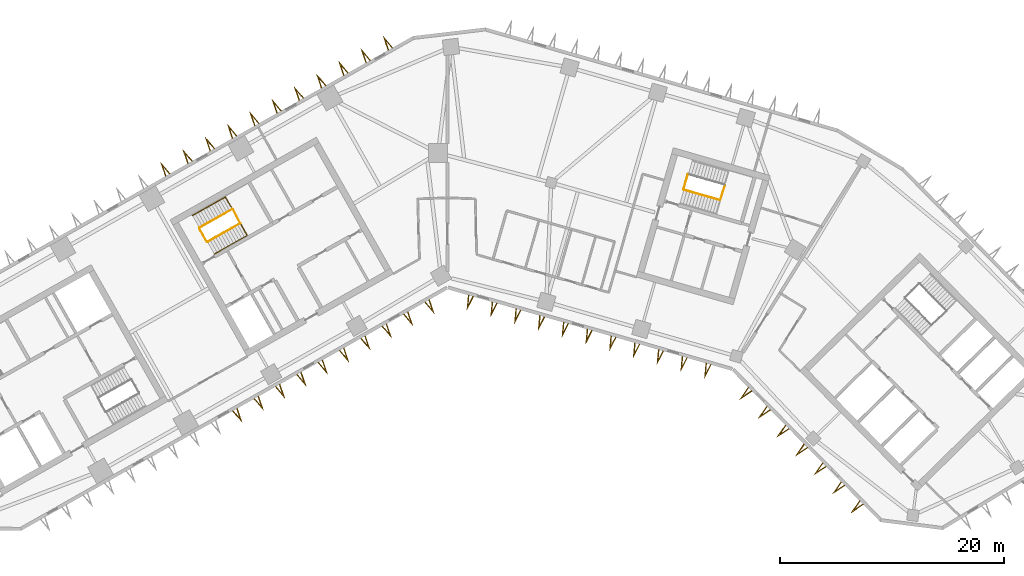
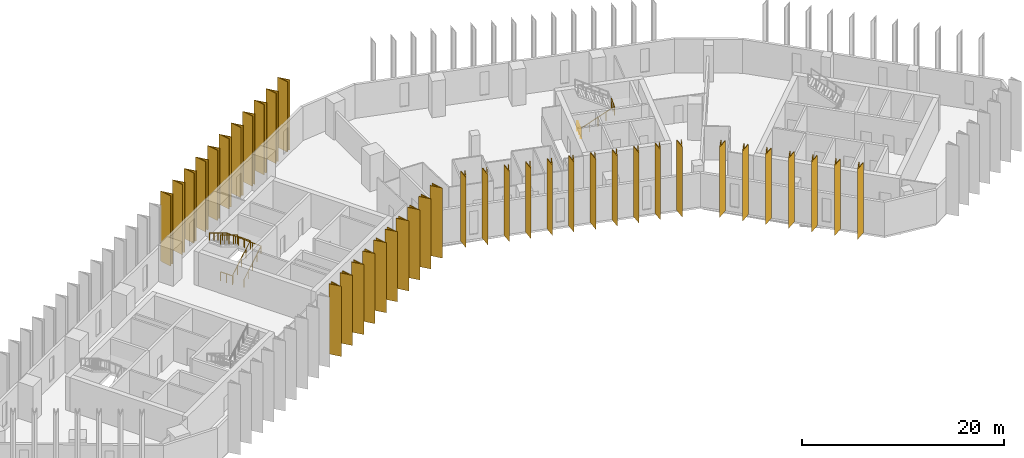
# One storey, part 10 of 11: 39 shading devices, 6 railings.
"""IFC4 building model written with IfcOpenShell, lengths in metres."""

from ifc_helpers import new_model, si_unit, direction, frame, origin, origin_2d, place, context, subcontext, project, spatial, polyline, circle, outline, extrude, material, type_object, element, save


model = new_model("IFC4")

# Units and contexts
model_context = context("Model", 3, precision=1e-05, world=origin(), true_north=direction((0.0, 1.0)))
body_context = subcontext(model_context, "Body", "Model", "MODEL_VIEW")
ifc_project = project(units=[si_unit("LENGTHUNIT", "METRE"), si_unit("AREAUNIT", "SQUARE_METRE"), si_unit("VOLUMEUNIT", "CUBIC_METRE"), si_unit("PLANEANGLEUNIT", "RADIAN"), si_unit("MASSUNIT", "GRAM", prefix="KILO")], contexts=[model_context])

# Site, building, storey
site_placement = place(None, origin())
site = spatial("IfcSite", under=ifc_project, at=site_placement, CompositionType="ELEMENT")
building_placement = place(site_placement, origin())
building = spatial("IfcBuilding", under=site, at=building_placement, Name="Binnacle Exchange Tower", CompositionType="ELEMENT")
storey_placement = place(building_placement, frame((0.0, 0.0, 132.300048828125)))
storey = spatial("IfcBuildingStorey", under=building, at=storey_placement, Name="L27", CompositionType="ELEMENT", Elevation=132.300048828125)

# Railings
ifc_material_1 = material(Name="Steel guard rail", Category="steel")
railing_type_1 = type_object("IfcRailingType", Name="STAIR GUARD 1100", PredefinedType="GUARDRAIL", material=ifc_material_1)
railing_1_placement = place(storey_placement, frame((-21.423828125, 52.07275390625, 0.169189453125)))
element("IfcRailing", 1, at=railing_1_placement, inside=storey, type_object=railing_type_1, Name="L27 STC1 stair guard 1", PredefinedType="GUARDRAIL", context=body_context, shape_type="SweptSolid", body=[
    extrude(circle(Radius=0.02392578125, at=origin_2d()), frame((0.0, 0.0, 1.076171875), z_axis=(0.744895141965, 0.421417011194, 0.517241655469), x_axis=(-0.49240197835, 0.870367905955, 0.0)), (0.0, 0.0, 1.0), 3.926025390625),
    extrude(circle(Radius=0.02392578125, at=origin_2d()), frame((2.924560546875, 1.654541015625, 3.10693359375), z_axis=(-0.461171632143, 0.887310952094, 0.0), x_axis=(-0.887310952094, -0.461171632143, 0.0)), (0.0, 0.0, 1.0), 1.40087890625),
    extrude(circle(Radius=0.02099609375, at=origin_2d()), origin(), (0.0, 0.0, 1.0), 1.052001953125),
    extrude(circle(Radius=0.02099609375, at=origin_2d()), frame((0.731201171875, 0.41357421875, 0.5078125)), (0.0, 0.0, 1.0), 1.052001953125),
    extrude(circle(Radius=0.02099609375, at=origin_2d()), frame((1.46240234375, 0.8271484375, 1.015380859375)), (0.0, 0.0, 1.0), 1.052001953125),
    extrude(circle(Radius=0.02099609375, at=origin_2d()), frame((2.193359375, 1.240966796875, 1.52294921875)), (0.0, 0.0, 1.0), 1.052001953125),
    extrude(circle(Radius=0.02099609375, at=origin_2d()), frame((2.924560546875, 1.654541015625, 2.03076171875)), (0.0, 0.0, 1.0), 1.052001953125),
    extrude(circle(Radius=0.02099609375, at=origin_2d()), frame((2.6015625, 2.27587890625, 2.03076171875)), (0.0, 0.0, 1.0), 1.052001953125),
    extrude(circle(Radius=0.02099609375, at=origin_2d()), frame((2.278564453125, 2.8974609375, 2.03076171875)), (0.0, 0.0, 1.0), 1.052001953125),
])
railing_2_placement = place(storey_placement, frame((-19.21337890625, 54.9892578125, 2.369140625)))
element("IfcRailing", 2, at=railing_2_placement, inside=storey, type_object=railing_type_1, Name="L27 STC1 stair guard 2", PredefinedType="GUARDRAIL", context=body_context, shape_type="SweptSolid", body=[
    extrude(circle(Radius=0.02392578125, at=origin_2d()), frame((0.0, 0.0, 1.076171875), z_axis=(-0.744867460262, -0.421436531824, 0.517265614832), x_axis=(0.492433119026, -0.870350287693, 0.0)), (0.0, 0.0, 1.0), 3.926025390625),
    extrude(circle(Radius=0.02099609375, at=origin_2d()), origin(), (0.0, 0.0, 1.0), 1.052001953125),
    extrude(circle(Radius=0.02099609375, at=origin_2d()), frame((-0.73095703125, -0.41357421875, 0.5078125)), (0.0, 0.0, 1.0), 1.052001953125),
    extrude(circle(Radius=0.02099609375, at=origin_2d()), frame((-1.462158203125, -0.8271484375, 1.015380859375)), (0.0, 0.0, 1.0), 1.052001953125),
    extrude(circle(Radius=0.02099609375, at=origin_2d()), frame((-2.193359375, -1.240966796875, 1.52294921875)), (0.0, 0.0, 1.0), 1.052001953125),
    extrude(circle(Radius=0.02099609375, at=origin_2d()), frame((-2.92431640625, -1.654541015625, 2.03076171875)), (0.0, 0.0, 1.0), 1.052001953125),
])
railing_3_placement = place(storey_placement, frame((-21.491943359375, 52.091552734375, 0.0)))
element("IfcRailing", 3, at=railing_3_placement, inside=storey, type_object=railing_type_1, Name="L27 STC1 stair guard 3", PredefinedType="GUARDRAIL", context=body_context, shape_type="SweptSolid", body=[
    extrude(circle(Radius=0.02392578125, at=origin_2d()), frame((0.0, 0.0, 1.076171875), z_axis=(-0.49241474071, 0.870360685654, 0.0), x_axis=(-0.870360685654, -0.49241474071, 0.0)), (0.0, 0.0, 1.0), 1.35009765625),
    extrude(circle(Radius=0.02099609375, at=origin_2d()), origin(), (0.0, 0.0, 1.0), 1.052001953125),
    extrude(circle(Radius=0.02099609375, at=origin_2d()), frame((-0.33251953125, 0.58740234375, 0.0)), (0.0, 0.0, 1.0), 1.052001953125),
    extrude(circle(Radius=0.02099609375, at=origin_2d()), frame((-0.664794921875, 1.175048828125, 0.0)), (0.0, 0.0, 1.0), 1.052001953125),
])
railing_4_placement = place(storey_placement, frame((21.086669921875, 56.71044921875, 0.169189453125)))
element("IfcRailing", 4, at=railing_4_placement, inside=storey, type_object=railing_type_1, Name="L27 STD1 stair guard 1", PredefinedType="GUARDRAIL", context=body_context, shape_type="SweptSolid", body=[
    extrude(circle(Radius=0.02392578125, at=origin_2d()), frame((0.0, 0.0, 1.076171875), z_axis=(0.82266146106, -0.235934506256, 0.517264950721), x_axis=(0.27568068152, 0.961249271436, 0.0)), (0.0, 0.0, 1.0), 3.926025390625),
    extrude(circle(Radius=0.02392578125, at=origin_2d()), frame((3.229736328125, -0.92626953125, 3.10693359375), z_axis=(0.309842533299, 0.950787886208, 0.0), x_axis=(-0.950787886208, 0.309842533299, 0.0)), (0.0, 0.0, 1.0), 1.40087890625),
    extrude(circle(Radius=0.02099609375, at=origin_2d()), origin(), (0.0, 0.0, 1.0), 1.052001953125),
    extrude(circle(Radius=0.02099609375, at=origin_2d()), frame((0.807373046875, -0.2314453125, 0.5078125)), (0.0, 0.0, 1.0), 1.052001953125),
    extrude(circle(Radius=0.02099609375, at=origin_2d()), frame((1.61474609375, -0.463134765625, 1.015380859375)), (0.0, 0.0, 1.0), 1.052001953125),
    extrude(circle(Radius=0.02099609375, at=origin_2d()), frame((2.42236328125, -0.69482421875, 1.52294921875)), (0.0, 0.0, 1.0), 1.052001953125),
    extrude(circle(Radius=0.02099609375, at=origin_2d()), frame((3.229736328125, -0.92626953125, 2.03076171875)), (0.0, 0.0, 1.0), 1.052001953125),
    extrude(circle(Radius=0.02099609375, at=origin_2d()), frame((3.44677734375, -0.26025390625, 2.03076171875)), (0.0, 0.0, 1.0), 1.052001953125),
    extrude(circle(Radius=0.02099609375, at=origin_2d()), frame((3.663818359375, 0.40576171875, 2.03076171875)), (0.0, 0.0, 1.0), 1.052001953125),
])
railing_5_placement = place(storey_placement, frame((21.05224609375, 56.772216796875, 0.0)))
element("IfcRailing", 5, at=railing_5_placement, inside=storey, type_object=railing_type_1, Name="L27 STD1 stair guard 3", PredefinedType="GUARDRAIL", context=body_context, shape_type="SweptSolid", body=[
    extrude(circle(Radius=0.02392578125, at=origin_2d()), frame((0.0, 0.0, 1.076171875), z_axis=(0.275795817769, 0.961216243569, 0.0), x_axis=(-0.961216243569, 0.275795817769, 0.0)), (0.0, 0.0, 1.0), 1.349853515625),
    extrude(circle(Radius=0.02099609375, at=origin_2d()), origin(), (0.0, 0.0, 1.0), 1.052001953125),
    extrude(circle(Radius=0.02099609375, at=origin_2d()), frame((0.18603515625, 0.64892578125, 0.0)), (0.0, 0.0, 1.0), 1.052001953125),
    extrude(circle(Radius=0.02099609375, at=origin_2d()), frame((0.372314453125, 1.297607421875, 0.0)), (0.0, 0.0, 1.0), 1.052001953125),
])
ifc_material_2 = material(Name="Steel handrail", Category="steel")
railing_type_2 = type_object("IfcRailingType", Name="STAIR HANDRAIL 900", PredefinedType="HANDRAIL", material=ifc_material_2)
railing_6_placement = place(storey_placement, frame((-20.808349609375, 50.984619140625, 0.169189453125)))
element("IfcRailing", 6, at=railing_6_placement, inside=storey, type_object=railing_type_2, Name="L27 STC1 stair handrail 1", PredefinedType="HANDRAIL", context=body_context, shape_type="SweptSolid", body=[
    extrude(circle(Radius=0.02392578125, at=origin_2d()), frame((0.0, 0.0, 0.8759765625), z_axis=(0.744895141965, 0.421417011194, 0.517241655469), x_axis=(-0.49240197835, 0.870367905955, 0.0)), (0.0, 0.0, 1.0), 3.926025390625),
    extrude(circle(Radius=0.02392578125, at=origin_2d()), frame((2.924560546875, 1.654541015625, 2.90673828125), z_axis=(-0.491962556146, 0.869564041126, 0.04279277663), x_axis=(-0.870361318571, -0.492413622004, 0.0)), (0.0, 0.0, 1.0), 3.95361328125),
    extrude(circle(Radius=0.02392578125, at=origin_2d()), frame((0.9794921875, 5.092529296875, 3.07568359375), z_axis=(-0.744895141965, -0.421417011194, 0.517241655469), x_axis=(0.49240197835, -0.870367905955, 0.0)), (0.0, 0.0, 1.0), 3.926025390625),
    extrude(circle(Radius=0.02099609375, at=origin_2d()), origin(), (0.0, 0.0, 1.0), 0.851806640625),
    extrude(circle(Radius=0.02099609375, at=origin_2d()), frame((0.731201171875, 0.41357421875, 0.5078125)), (0.0, 0.0, 1.0), 0.851806640625),
    extrude(circle(Radius=0.02099609375, at=origin_2d()), frame((1.46240234375, 0.8271484375, 1.015380859375)), (0.0, 0.0, 1.0), 0.851806640625),
    extrude(circle(Radius=0.02099609375, at=origin_2d()), frame((2.193359375, 1.240966796875, 1.52294921875)), (0.0, 0.0, 1.0), 0.851806640625),
    extrude(circle(Radius=0.02099609375, at=origin_2d()), frame((2.924560546875, 1.654541015625, 2.03076171875)), (0.0, 0.0, 1.0), 0.851806640625),
    extrude(circle(Radius=0.02099609375, at=origin_2d()), frame((2.438232421875, 2.51416015625, 2.072998046875)), (0.0, 0.0, 1.0), 0.851806640625),
    extrude(circle(Radius=0.02099609375, at=origin_2d()), frame((1.9521484375, 3.37353515625, 2.115234375)), (0.0, 0.0, 1.0), 0.851806640625),
    extrude(circle(Radius=0.02099609375, at=origin_2d()), frame((1.4658203125, 4.23291015625, 2.15771484375)), (0.0, 0.0, 1.0), 0.851806640625),
    extrude(circle(Radius=0.02099609375, at=origin_2d()), frame((0.9794921875, 5.092529296875, 2.199951171875)), (0.0, 0.0, 1.0), 0.851806640625),
    extrude(circle(Radius=0.02099609375, at=origin_2d()), frame((0.248291015625, 4.678955078125, 2.70751953125)), (0.0, 0.0, 1.0), 0.851806640625),
    extrude(circle(Radius=0.02099609375, at=origin_2d()), frame((-0.48291015625, 4.26513671875, 3.21533203125)), (0.0, 0.0, 1.0), 0.851806640625),
    extrude(circle(Radius=0.02099609375, at=origin_2d()), frame((-1.2138671875, 3.8515625, 3.72314453125)), (0.0, 0.0, 1.0), 0.851806640625),
    extrude(circle(Radius=0.02099609375, at=origin_2d()), frame((-1.945068359375, 3.43798828125, 4.230712890625)), (0.0, 0.0, 1.0), 0.851806640625),
])

# Shading devices
ifc_material_3 = material(Name="Bronze aluminium cladding", Category="aluminium")
shading_device_type = type_object("IfcShadingDeviceType", Name="V FIN 1300 DEEP x 8480 HIGH", PredefinedType="USERDEFINED", material=ifc_material_3)
shading_device_1_placement = place(storey_placement, origin())
element("IfcShadingDevice", 7, at=shading_device_1_placement, inside=storey, type_object=shading_device_type, Name="V fin FN-F03-01 L27", ObjectType="FIN", PredefinedType="USERDEFINED", context=body_context, shape_type="SweptSolid", body=[
    extrude(outline(polyline([(-4.88916015625, 69.40625), (-5.746826171875, 70.41455078125), (-5.32421875, 69.159912109375), (-5.25341796875, 69.2001953125), (-5.5380859375, 70.0458984375), (-4.9599609375, 69.3662109375), (-4.88916015625, 69.40625)])), origin(), (0.0, 0.0, 1.0), 8.47998046875),
])
shading_device_2_placement = place(storey_placement, origin())
element("IfcShadingDevice", 8, at=shading_device_2_placement, inside=storey, type_object=shading_device_type, Name="V fin FN-F03-02 L27", ObjectType="FIN", PredefinedType="USERDEFINED", context=body_context, shape_type="SweptSolid", body=[
    extrude(outline(polyline([(-6.87548828125, 68.2822265625), (-7.7333984375, 69.290771484375), (-7.310791015625, 68.0361328125), (-7.239990234375, 68.076171875), (-7.524658203125, 68.922119140625), (-6.946533203125, 68.2421875), (-6.87548828125, 68.2822265625)])), origin(), (0.0, 0.0, 1.0), 8.47998046875),
])
shading_device_3_placement = place(storey_placement, origin())
element("IfcShadingDevice", 9, at=shading_device_3_placement, inside=storey, type_object=shading_device_type, Name="V fin FN-F03-03 L27", ObjectType="FIN", PredefinedType="USERDEFINED", context=body_context, shape_type="SweptSolid", body=[
    extrude(outline(polyline([(-8.862060546875, 67.158203125), (-9.719970703125, 68.166748046875), (-9.29736328125, 66.912109375), (-9.226318359375, 66.9521484375), (-9.51123046875, 67.798095703125), (-8.93310546875, 67.1181640625), (-8.862060546875, 67.158203125)])), origin(), (0.0, 0.0, 1.0), 8.47998046875),
])
shading_device_4_placement = place(storey_placement, origin())
element("IfcShadingDevice", 10, at=shading_device_4_placement, inside=storey, type_object=shading_device_type, Name="V fin FN-F03-04 L27", ObjectType="FIN", PredefinedType="USERDEFINED", context=body_context, shape_type="SweptSolid", body=[
    extrude(outline(polyline([(-10.8486328125, 66.034423828125), (-11.70654296875, 67.042724609375), (-11.283935546875, 65.7880859375), (-11.212890625, 65.828369140625), (-11.497802734375, 66.674072265625), (-10.919677734375, 65.994384765625), (-10.8486328125, 66.034423828125)])), origin(), (0.0, 0.0, 1.0), 8.47998046875),
])
shading_device_5_placement = place(storey_placement, origin())
element("IfcShadingDevice", 11, at=shading_device_5_placement, inside=storey, type_object=shading_device_type, Name="V fin FN-F03-05 L27", ObjectType="FIN", PredefinedType="USERDEFINED", context=body_context, shape_type="SweptSolid", body=[
    extrude(outline(polyline([(-12.835205078125, 64.910400390625), (-13.693115234375, 65.9189453125), (-13.2705078125, 64.664306640625), (-13.199462890625, 64.704345703125), (-13.484375, 65.55029296875), (-12.906005859375, 64.870361328125), (-12.835205078125, 64.910400390625)])), origin(), (0.0, 0.0, 1.0), 8.47998046875),
])
shading_device_6_placement = place(storey_placement, origin())
element("IfcShadingDevice", 12, at=shading_device_6_placement, inside=storey, type_object=shading_device_type, Name="V fin FN-F03-06 L27", ObjectType="FIN", PredefinedType="USERDEFINED", context=body_context, shape_type="SweptSolid", body=[
    extrude(outline(polyline([(-14.82177734375, 63.78662109375), (-15.6796875, 64.794921875), (-15.257080078125, 63.540283203125), (-15.18603515625, 63.580322265625), (-15.470947265625, 64.42626953125), (-14.892578125, 63.746337890625), (-14.82177734375, 63.78662109375)])), origin(), (0.0, 0.0, 1.0), 8.47998046875),
])
shading_device_7_placement = place(storey_placement, origin())
element("IfcShadingDevice", 13, at=shading_device_7_placement, inside=storey, type_object=shading_device_type, Name="V fin FN-F03-07 L27", ObjectType="FIN", PredefinedType="USERDEFINED", context=body_context, shape_type="SweptSolid", body=[
    extrude(outline(polyline([(-16.808349609375, 62.66259765625), (-17.666015625, 63.6708984375), (-17.243408203125, 62.41650390625), (-17.172607421875, 62.45654296875), (-17.45751953125, 63.30224609375), (-16.879150390625, 62.62255859375), (-16.808349609375, 62.66259765625)])), origin(), (0.0, 0.0, 1.0), 8.47998046875),
])
shading_device_8_placement = place(storey_placement, origin())
element("IfcShadingDevice", 14, at=shading_device_8_placement, inside=storey, type_object=shading_device_type, Name="V fin FN-F03-08 L27", ObjectType="FIN", PredefinedType="USERDEFINED", context=body_context, shape_type="SweptSolid", body=[
    extrude(outline(polyline([(-18.794921875, 61.53857421875), (-19.652587890625, 62.547119140625), (-19.22998046875, 61.29248046875), (-19.1591796875, 61.33251953125), (-19.444091796875, 62.17822265625), (-18.86572265625, 61.49853515625), (-18.794921875, 61.53857421875)])), origin(), (0.0, 0.0, 1.0), 8.47998046875),
])
shading_device_9_placement = place(storey_placement, origin())
element("IfcShadingDevice", 15, at=shading_device_9_placement, inside=storey, type_object=shading_device_type, Name="V fin FN-F03-09 L27", ObjectType="FIN", PredefinedType="USERDEFINED", context=body_context, shape_type="SweptSolid", body=[
    extrude(outline(polyline([(-20.781494140625, 60.414794921875), (-21.639404296875, 61.423095703125), (-21.216796875, 60.16845703125), (-21.145751953125, 60.20849609375), (-21.4306640625, 61.054443359375), (-20.852294921875, 60.37451171875), (-20.781494140625, 60.414794921875)])), origin(), (0.0, 0.0, 1.0), 8.47998046875),
])
shading_device_10_placement = place(storey_placement, origin())
element("IfcShadingDevice", 16, at=shading_device_10_placement, inside=storey, type_object=shading_device_type, Name="V fin FN-F03-10 L27", ObjectType="FIN", PredefinedType="USERDEFINED", context=body_context, shape_type="SweptSolid", body=[
    extrude(outline(polyline([(-22.76806640625, 59.290771484375), (-23.625732421875, 60.29931640625), (-23.203125, 59.044677734375), (-23.13232421875, 59.084716796875), (-23.4169921875, 59.930419921875), (-22.8388671875, 59.250732421875), (-22.76806640625, 59.290771484375)])), origin(), (0.0, 0.0, 1.0), 8.47998046875),
])
shading_device_11_placement = place(storey_placement, origin())
element("IfcShadingDevice", 17, at=shading_device_11_placement, inside=storey, type_object=shading_device_type, Name="V fin FN-F03-11 L27", ObjectType="FIN", PredefinedType="USERDEFINED", context=body_context, shape_type="SweptSolid", body=[
    extrude(outline(polyline([(-24.754638671875, 58.166748046875), (-25.6123046875, 59.17529296875), (-25.189697265625, 57.920654296875), (-25.118896484375, 57.960693359375), (-25.40380859375, 58.806396484375), (-24.825439453125, 58.126708984375), (-24.754638671875, 58.166748046875)])), origin(), (0.0, 0.0, 1.0), 8.47998046875),
])
shading_device_12_placement = place(storey_placement, origin())
element("IfcShadingDevice", 18, at=shading_device_12_placement, inside=storey, type_object=shading_device_type, Name="V fin FN-F07-10 L27", ObjectType="FIN", PredefinedType="USERDEFINED", context=body_context, shape_type="SweptSolid", body=[
    extrude(outline(polyline([(-19.192626953125, 36.968994140625), (-18.334716796875, 35.960693359375), (-18.75732421875, 37.215087890625), (-18.828369140625, 37.175048828125), (-18.54345703125, 36.329345703125), (-19.12158203125, 37.009033203125), (-19.192626953125, 36.968994140625)])), origin(), (0.0, 0.0, 1.0), 8.47998046875),
])
shading_device_13_placement = place(storey_placement, origin())
element("IfcShadingDevice", 19, at=shading_device_13_placement, inside=storey, type_object=shading_device_type, Name="V fin FN-F07-11 L27", ObjectType="FIN", PredefinedType="USERDEFINED", context=body_context, shape_type="SweptSolid", body=[
    extrude(outline(polyline([(-17.28759765625, 38.046875), (-16.429931640625, 37.038330078125), (-16.8525390625, 38.29296875), (-16.92333984375, 38.2529296875), (-16.638671875, 37.406982421875), (-17.216796875, 38.0869140625), (-17.28759765625, 38.046875)])), origin(), (0.0, 0.0, 1.0), 8.47998046875),
])
shading_device_14_placement = place(storey_placement, origin())
element("IfcShadingDevice", 20, at=shading_device_14_placement, inside=storey, type_object=shading_device_type, Name="V fin FN-F07-12 L27", ObjectType="FIN", PredefinedType="USERDEFINED", context=body_context, shape_type="SweptSolid", body=[
    extrude(outline(polyline([(-15.3828125, 39.12451171875), (-14.525146484375, 38.1162109375), (-14.94775390625, 39.37060546875), (-15.0185546875, 39.33056640625), (-14.73388671875, 38.48486328125), (-15.31201171875, 39.16455078125), (-15.3828125, 39.12451171875)])), origin(), (0.0, 0.0, 1.0), 8.47998046875),
])
shading_device_15_placement = place(storey_placement, origin())
element("IfcShadingDevice", 21, at=shading_device_15_placement, inside=storey, type_object=shading_device_type, Name="V fin FN-F07-13 L27", ObjectType="FIN", PredefinedType="USERDEFINED", context=body_context, shape_type="SweptSolid", body=[
    extrude(outline(polyline([(-13.477783203125, 40.2021484375), (-12.6201171875, 39.19384765625), (-13.042724609375, 40.448486328125), (-13.113525390625, 40.408203125), (-12.828857421875, 39.5625), (-13.406982421875, 40.2421875), (-13.477783203125, 40.2021484375)])), origin(), (0.0, 0.0, 1.0), 8.47998046875),
])
shading_device_16_placement = place(storey_placement, origin())
element("IfcShadingDevice", 22, at=shading_device_16_placement, inside=storey, type_object=shading_device_type, Name="V fin FN-F07-14 L27", ObjectType="FIN", PredefinedType="USERDEFINED", context=body_context, shape_type="SweptSolid", body=[
    extrude(outline(polyline([(-11.572998046875, 41.280029296875), (-10.715087890625, 40.271484375), (-11.1376953125, 41.526123046875), (-11.208740234375, 41.486083984375), (-10.923828125, 40.640380859375), (-11.502197265625, 41.320068359375), (-11.572998046875, 41.280029296875)])), origin(), (0.0, 0.0, 1.0), 8.47998046875),
])
shading_device_17_placement = place(storey_placement, origin())
element("IfcShadingDevice", 23, at=shading_device_17_placement, inside=storey, type_object=shading_device_type, Name="V fin FN-F07-15 L27", ObjectType="FIN", PredefinedType="USERDEFINED", context=body_context, shape_type="SweptSolid", body=[
    extrude(outline(polyline([(-9.668212890625, 42.357666015625), (-8.810302734375, 41.349365234375), (-9.23291015625, 42.60400390625), (-9.303955078125, 42.563720703125), (-9.01904296875, 41.718017578125), (-9.597412109375, 42.397705078125), (-9.668212890625, 42.357666015625)])), origin(), (0.0, 0.0, 1.0), 8.47998046875),
])
shading_device_18_placement = place(storey_placement, origin())
element("IfcShadingDevice", 24, at=shading_device_18_placement, inside=storey, type_object=shading_device_type, Name="V fin FN-F07-16 L27", ObjectType="FIN", PredefinedType="USERDEFINED", context=body_context, shape_type="SweptSolid", body=[
    extrude(outline(polyline([(-7.76318359375, 43.435302734375), (-6.905517578125, 42.427001953125), (-7.327880859375, 43.681640625), (-7.39892578125, 43.6416015625), (-7.114013671875, 42.795654296875), (-7.6923828125, 43.4755859375), (-7.76318359375, 43.435302734375)])), origin(), (0.0, 0.0, 1.0), 8.47998046875),
])
shading_device_19_placement = place(storey_placement, origin())
element("IfcShadingDevice", 25, at=shading_device_19_placement, inside=storey, type_object=shading_device_type, Name="V fin FN-F07-17 L27", ObjectType="FIN", PredefinedType="USERDEFINED", context=body_context, shape_type="SweptSolid", body=[
    extrude(outline(polyline([(-5.8583984375, 44.51318359375), (-5.00048828125, 43.5048828125), (-5.423095703125, 44.759521484375), (-5.494140625, 44.71923828125), (-5.209228515625, 43.87353515625), (-5.78759765625, 44.55322265625), (-5.8583984375, 44.51318359375)])), origin(), (0.0, 0.0, 1.0), 8.47998046875),
])
shading_device_20_placement = place(storey_placement, origin())
element("IfcShadingDevice", 26, at=shading_device_20_placement, inside=storey, type_object=shading_device_type, Name="V fin FN-F07-18 L27", ObjectType="FIN", PredefinedType="USERDEFINED", context=body_context, shape_type="SweptSolid", body=[
    extrude(outline(polyline([(-3.95361328125, 45.5908203125), (-3.095703125, 44.58251953125), (-3.518310546875, 45.837158203125), (-3.589111328125, 45.797119140625), (-3.304443359375, 44.951171875), (-3.882568359375, 45.631103515625), (-3.95361328125, 45.5908203125)])), origin(), (0.0, 0.0, 1.0), 8.47998046875),
])
shading_device_21_placement = place(storey_placement, origin())
element("IfcShadingDevice", 27, at=shading_device_21_placement, inside=storey, type_object=shading_device_type, Name="V fin FN-F07-19 L27", ObjectType="FIN", PredefinedType="USERDEFINED", context=body_context, shape_type="SweptSolid", body=[
    extrude(outline(polyline([(-2.048583984375, 46.668701171875), (-1.19091796875, 45.660400390625), (-1.61328125, 46.914794921875), (-1.684326171875, 46.874755859375), (-1.3994140625, 46.029052734375), (-1.977783203125, 46.708740234375), (-2.048583984375, 46.668701171875)])), origin(), (0.0, 0.0, 1.0), 8.47998046875),
])
shading_device_22_placement = place(storey_placement, origin())
element("IfcShadingDevice", 28, at=shading_device_22_placement, inside=storey, type_object=shading_device_type, Name="V fin FN-F08-01 L27", ObjectType="FIN", PredefinedType="USERDEFINED", context=body_context, shape_type="SweptSolid", body=[
    extrude(outline(polyline([(1.837890625, 47.31689453125), (1.719970703125, 45.998291015625), (2.318603515625, 47.17919921875), (2.240234375, 47.201416015625), (1.836669921875, 46.405517578125), (1.916259765625, 47.29443359375), (1.837890625, 47.31689453125)])), origin(), (0.0, 0.0, 1.0), 8.47998046875),
])
shading_device_23_placement = place(storey_placement, origin())
element("IfcShadingDevice", 29, at=shading_device_23_placement, inside=storey, type_object=shading_device_type, Name="V fin FN-F08-02 L27", ObjectType="FIN", PredefinedType="USERDEFINED", context=body_context, shape_type="SweptSolid", body=[
    extrude(outline(polyline([(3.957763671875, 46.708984375), (3.839599609375, 45.390625), (4.438232421875, 46.5712890625), (4.360107421875, 46.59375), (3.956298828125, 45.7978515625), (4.035888671875, 46.686767578125), (3.957763671875, 46.708984375)])), origin(), (0.0, 0.0, 1.0), 8.47998046875),
])
shading_device_24_placement = place(storey_placement, origin())
element("IfcShadingDevice", 30, at=shading_device_24_placement, inside=storey, type_object=shading_device_type, Name="V fin FN-F08-03 L27", ObjectType="FIN", PredefinedType="USERDEFINED", context=body_context, shape_type="SweptSolid", body=[
    extrude(outline(polyline([(6.077392578125, 46.101318359375), (5.95947265625, 44.78271484375), (6.55810546875, 45.96337890625), (6.479736328125, 45.98583984375), (6.076171875, 45.18994140625), (6.15576171875, 46.078857421875), (6.077392578125, 46.101318359375)])), origin(), (0.0, 0.0, 1.0), 8.47998046875),
])
shading_device_25_placement = place(storey_placement, origin())
element("IfcShadingDevice", 31, at=shading_device_25_placement, inside=storey, type_object=shading_device_type, Name="V fin FN-F08-04 L27", ObjectType="FIN", PredefinedType="USERDEFINED", context=body_context, shape_type="SweptSolid", body=[
    extrude(outline(polyline([(8.197021484375, 45.493408203125), (8.0791015625, 44.175048828125), (8.677734375, 45.355712890625), (8.599365234375, 45.378173828125), (8.19580078125, 44.582275390625), (8.275390625, 45.47119140625), (8.197021484375, 45.493408203125)])), origin(), (0.0, 0.0, 1.0), 8.47998046875),
])
shading_device_26_placement = place(storey_placement, origin())
element("IfcShadingDevice", 32, at=shading_device_26_placement, inside=storey, type_object=shading_device_type, Name="V fin FN-F08-05 L27", ObjectType="FIN", PredefinedType="USERDEFINED", context=body_context, shape_type="SweptSolid", body=[
    extrude(outline(polyline([(10.316650390625, 44.8857421875), (10.19873046875, 43.567138671875), (10.79736328125, 44.747802734375), (10.718994140625, 44.770263671875), (10.3154296875, 43.974365234375), (10.39501953125, 44.86328125), (10.316650390625, 44.8857421875)])), origin(), (0.0, 0.0, 1.0), 8.47998046875),
])
shading_device_27_placement = place(storey_placement, origin())
element("IfcShadingDevice", 33, at=shading_device_27_placement, inside=storey, type_object=shading_device_type, Name="V fin FN-F08-06 L27", ObjectType="FIN", PredefinedType="USERDEFINED", context=body_context, shape_type="SweptSolid", body=[
    extrude(outline(polyline([(12.436279296875, 44.27783203125), (12.318359375, 42.95947265625), (12.9169921875, 44.14013671875), (12.838623046875, 44.16259765625), (12.43505859375, 43.36669921875), (12.5146484375, 44.255615234375), (12.436279296875, 44.27783203125)])), origin(), (0.0, 0.0, 1.0), 8.47998046875),
])
shading_device_28_placement = place(storey_placement, origin())
element("IfcShadingDevice", 34, at=shading_device_28_placement, inside=storey, type_object=shading_device_type, Name="V fin FN-F08-07 L27", ObjectType="FIN", PredefinedType="USERDEFINED", context=body_context, shape_type="SweptSolid", body=[
    extrude(outline(polyline([(14.55615234375, 43.670166015625), (14.43798828125, 42.3515625), (15.03662109375, 43.5322265625), (14.95849609375, 43.5546875), (14.5546875, 42.7587890625), (14.634521484375, 43.647705078125), (14.55615234375, 43.670166015625)])), origin(), (0.0, 0.0, 1.0), 8.47998046875),
])
shading_device_29_placement = place(storey_placement, origin())
element("IfcShadingDevice", 35, at=shading_device_29_placement, inside=storey, type_object=shading_device_type, Name="V fin FN-F08-08 L27", ObjectType="FIN", PredefinedType="USERDEFINED", context=body_context, shape_type="SweptSolid", body=[
    extrude(outline(polyline([(16.67578125, 43.062255859375), (16.557861328125, 41.743896484375), (17.156494140625, 42.924560546875), (17.078125, 42.947021484375), (16.674560546875, 42.15087890625), (16.754150390625, 43.039794921875), (16.67578125, 43.062255859375)])), origin(), (0.0, 0.0, 1.0), 8.47998046875),
])
shading_device_30_placement = place(storey_placement, origin())
element("IfcShadingDevice", 36, at=shading_device_30_placement, inside=storey, type_object=shading_device_type, Name="V fin FN-F08-09 L27", ObjectType="FIN", PredefinedType="USERDEFINED", context=body_context, shape_type="SweptSolid", body=[
    extrude(outline(polyline([(18.79541015625, 42.454345703125), (18.677490234375, 41.135986328125), (19.276123046875, 42.316650390625), (19.19775390625, 42.339111328125), (18.794189453125, 41.543212890625), (18.873779296875, 42.431884765625), (18.79541015625, 42.454345703125)])), origin(), (0.0, 0.0, 1.0), 8.47998046875),
])
shading_device_31_placement = place(storey_placement, origin())
element("IfcShadingDevice", 37, at=shading_device_31_placement, inside=storey, type_object=shading_device_type, Name="V fin FN-F08-10 L27", ObjectType="FIN", PredefinedType="USERDEFINED", context=body_context, shape_type="SweptSolid", body=[
    extrude(outline(polyline([(20.9150390625, 41.8466796875), (20.797119140625, 40.528076171875), (21.395751953125, 41.708740234375), (21.3173828125, 41.731201171875), (20.913818359375, 40.935302734375), (20.993408203125, 41.82421875), (20.9150390625, 41.8466796875)])), origin(), (0.0, 0.0, 1.0), 8.47998046875),
])
shading_device_32_placement = place(storey_placement, origin())
element("IfcShadingDevice", 38, at=shading_device_32_placement, inside=storey, type_object=shading_device_type, Name="V fin FN-F08-11 L27", ObjectType="FIN", PredefinedType="USERDEFINED", context=body_context, shape_type="SweptSolid", body=[
    extrude(outline(polyline([(23.034912109375, 41.23876953125), (22.916748046875, 39.92041015625), (23.515380859375, 41.10107421875), (23.43701171875, 41.123291015625), (23.033447265625, 40.327392578125), (23.113037109375, 41.21630859375), (23.034912109375, 41.23876953125)])), origin(), (0.0, 0.0, 1.0), 8.47998046875),
])
shading_device_33_placement = place(storey_placement, origin())
element("IfcShadingDevice", 39, at=shading_device_33_placement, inside=storey, type_object=shading_device_type, Name="V fin FN-F09-01 L27", ObjectType="FIN", PredefinedType="USERDEFINED", context=body_context, shape_type="SweptSolid", body=[
    extrude(outline(polyline([(26.810791015625, 39.093505859375), (26.05859375, 38.00390625), (27.1611328125, 38.73681640625), (27.10400390625, 38.794921875), (26.36083984375, 38.30078125), (26.867919921875, 39.035400390625), (26.810791015625, 39.093505859375)])), origin(), (0.0, 0.0, 1.0), 8.47998046875),
])
shading_device_34_placement = place(storey_placement, origin())
element("IfcShadingDevice", 40, at=shading_device_34_placement, inside=storey, type_object=shading_device_type, Name="V fin FN-F09-02 L27", ObjectType="FIN", PredefinedType="USERDEFINED", context=body_context, shape_type="SweptSolid", body=[
    extrude(outline(polyline([(28.467529296875, 37.407470703125), (27.715576171875, 36.31787109375), (28.818115234375, 37.05078125), (28.760986328125, 37.10888671875), (28.017578125, 36.61474609375), (28.524658203125, 37.349365234375), (28.467529296875, 37.407470703125)])), origin(), (0.0, 0.0, 1.0), 8.47998046875),
])
shading_device_35_placement = place(storey_placement, origin())
element("IfcShadingDevice", 41, at=shading_device_35_placement, inside=storey, type_object=shading_device_type, Name="V fin FN-F09-03 L27", ObjectType="FIN", PredefinedType="USERDEFINED", context=body_context, shape_type="SweptSolid", body=[
    extrude(outline(polyline([(30.12451171875, 35.721435546875), (29.372314453125, 34.632080078125), (30.474853515625, 35.364990234375), (30.417724609375, 35.423095703125), (29.674560546875, 34.928955078125), (30.181396484375, 35.663330078125), (30.12451171875, 35.721435546875)])), origin(), (0.0, 0.0, 1.0), 8.47998046875),
])
shading_device_36_placement = place(storey_placement, origin())
element("IfcShadingDevice", 42, at=shading_device_36_placement, inside=storey, type_object=shading_device_type, Name="V fin FN-F09-04 L27", ObjectType="FIN", PredefinedType="USERDEFINED", context=body_context, shape_type="SweptSolid", body=[
    extrude(outline(polyline([(31.78125, 34.035400390625), (31.029296875, 32.94580078125), (32.131591796875, 33.6787109375), (32.07470703125, 33.73681640625), (31.331298828125, 33.242919921875), (31.83837890625, 33.977294921875), (31.78125, 34.035400390625)])), origin(), (0.0, 0.0, 1.0), 8.47998046875),
])
shading_device_37_placement = place(storey_placement, origin())
element("IfcShadingDevice", 43, at=shading_device_37_placement, inside=storey, type_object=shading_device_type, Name="V fin FN-F09-05 L27", ObjectType="FIN", PredefinedType="USERDEFINED", context=body_context, shape_type="SweptSolid", body=[
    extrude(outline(polyline([(33.43798828125, 32.349365234375), (32.68603515625, 31.260009765625), (33.78857421875, 31.992919921875), (33.7314453125, 32.05078125), (32.98828125, 31.556884765625), (33.4951171875, 32.291259765625), (33.43798828125, 32.349365234375)])), origin(), (0.0, 0.0, 1.0), 8.47998046875),
])
shading_device_38_placement = place(storey_placement, origin())
element("IfcShadingDevice", 44, at=shading_device_38_placement, inside=storey, type_object=shading_device_type, Name="V fin FN-F09-06 L27", ObjectType="FIN", PredefinedType="USERDEFINED", context=body_context, shape_type="SweptSolid", body=[
    extrude(outline(polyline([(35.094970703125, 30.663330078125), (34.343017578125, 29.573974609375), (35.4453125, 30.306884765625), (35.38818359375, 30.364990234375), (34.64501953125, 29.870849609375), (35.152099609375, 30.605224609375), (35.094970703125, 30.663330078125)])), origin(), (0.0, 0.0, 1.0), 8.47998046875),
])
shading_device_39_placement = place(storey_placement, origin())
element("IfcShadingDevice", 45, at=shading_device_39_placement, inside=storey, type_object=shading_device_type, Name="V fin FN-F09-07 L27", ObjectType="FIN", PredefinedType="USERDEFINED", context=body_context, shape_type="SweptSolid", body=[
    extrude(outline(polyline([(36.751708984375, 28.977294921875), (35.999755859375, 27.887939453125), (37.102294921875, 28.620849609375), (37.045166015625, 28.678955078125), (36.302001953125, 28.184814453125), (36.808837890625, 28.919189453125), (36.751708984375, 28.977294921875)])), origin(), (0.0, 0.0, 1.0), 8.47998046875),
])

save(model, "model.ifc")
